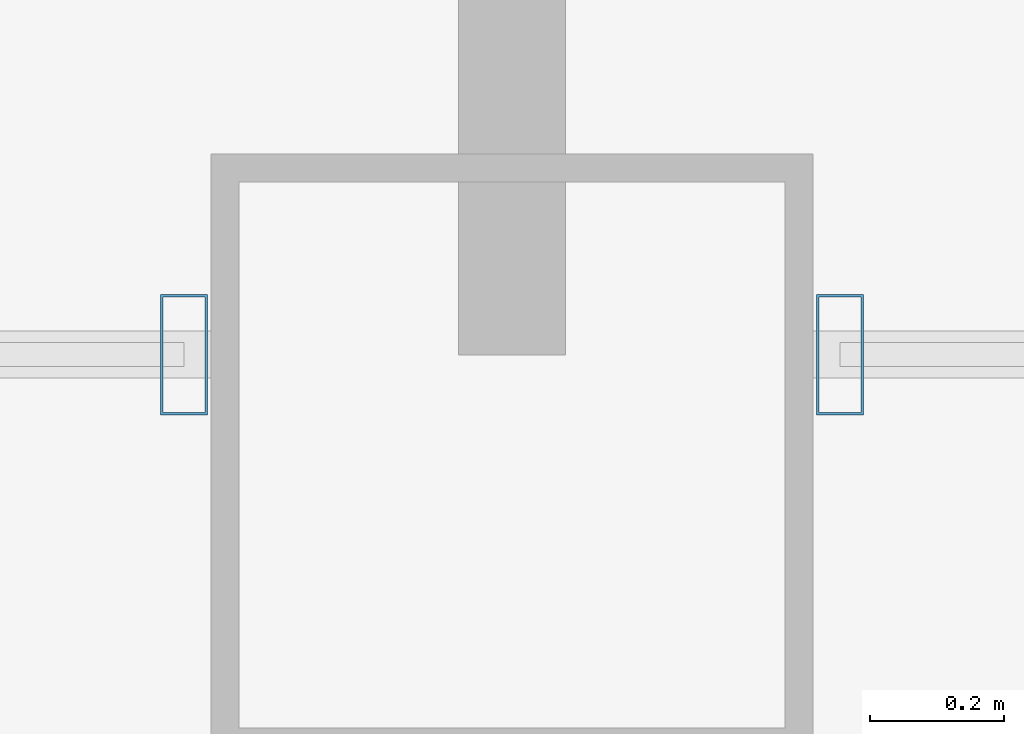
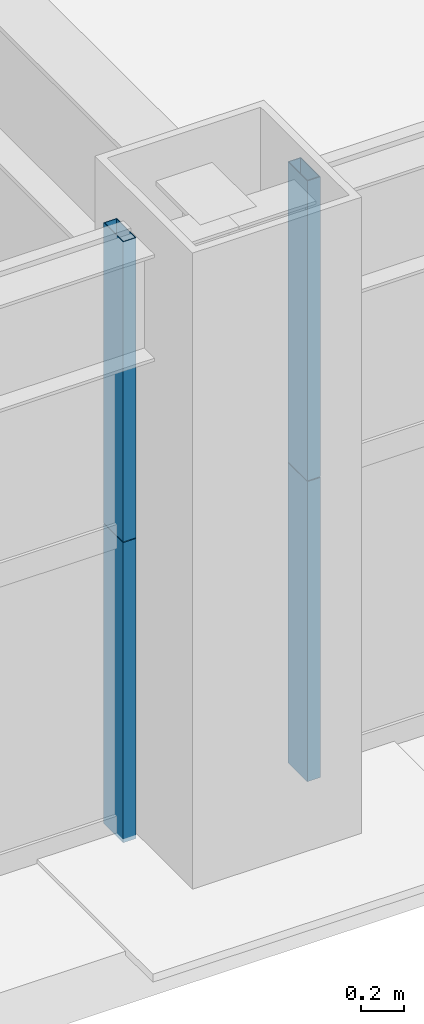
# One storey, part 9 of 45: 4 members, 2 elements without a shape of their own.
"""IFC4 building model written with IfcOpenShell, lengths in metres."""

import ifcopenshell
import ifcopenshell.guid

model = None  # the IFC model being written
_history = None  # IfcOwnerHistory: only IFC2X3 demands one
_inside = {}  # id of a spatial element -> (the spatial element, [elements in it])
_under = {}  # id of a project, library or spatial element -> (it, [spatial elements below it])
_declared = {}  # id of a project -> (the project, [libraries it declares])
_typed = {}  # id of a type object -> (the type object, [elements of that type])
_made_of = {}  # id of a material, layer set ... -> (it, [elements and type objects made of it])


def new_model(schema):
    """Start an empty IFC model of exactly this schema.

    Asked for "IFC4X3", IfcOpenShell would pick the latest addendum, in which some entities
    have other attributes; the version numbers below select the first issue.
    IFC2X3 requires an IfcOwnerHistory on every rooted entity: one is made here for all.
    """
    global model, _history
    if schema == "IFC4X3":
        model = ifcopenshell.file(schema_version=(4, 3, 0, 0))
    else:
        model = ifcopenshell.file(schema=schema)
    _inside.clear()
    _under.clear()
    _declared.clear()
    _typed.clear()
    _made_of.clear()
    _history = None
    if model.schema == "IFC2X3":
        org = make("IfcOrganization", Name="unknown")
        user = make(
            "IfcPersonAndOrganization",
            ThePerson=make("IfcPerson", FamilyName="unknown"),
            TheOrganization=org,
        )
        app = make(
            "IfcApplication",
            ApplicationDeveloper=org,
            Version="unknown",
            ApplicationFullName="unknown",
            ApplicationIdentifier="unknown",
        )
        _history = make(
            "IfcOwnerHistory",
            OwningUser=user,
            OwningApplication=app,
            ChangeAction="ADDED",
            CreationDate=0,
        )
    return model


def make(cls, **values):
    """One entity of the class cls with the attributes given. An attribute that is None is left unset."""
    return model.create_entity(
        cls, **{name: value for name, value in values.items() if value is not None}
    )


def rooted(cls, **values):
    """An entity with a GlobalId (a new one), such as an element, a storey or a relation."""
    return make(cls, GlobalId=ifcopenshell.guid.new(), OwnerHistory=_history, **values)


def si_unit(unit_type, name, prefix=None):
    """IfcSIUnit, for example si_unit("LENGTHUNIT", "METRE", prefix="MILLI")."""
    return make("IfcSIUnit", UnitType=unit_type, Prefix=prefix, Name=name)


def assignment(units):
    """IfcUnitAssignment: the units of a project."""
    return None if units is None else make("IfcUnitAssignment", Units=units)


def point(xyz):
    """IfcCartesianPoint."""
    return None if xyz is None else make("IfcCartesianPoint", Coordinates=xyz)


def direction(xyz):
    """IfcDirection."""
    return None if xyz is None else make("IfcDirection", DirectionRatios=xyz)


def frame(location, z_axis=None, x_axis=None):
    """IfcAxis2Placement3D, a coordinate frame: its origin and axes. An axis left out is left unset."""
    return make(
        "IfcAxis2Placement3D",
        Location=point(location),
        Axis=direction(z_axis),
        RefDirection=direction(x_axis),
    )


def frame_2d(location, x_axis=None):
    """IfcAxis2Placement2D, a coordinate frame in the plane: its origin and x axis."""
    return make(
        "IfcAxis2Placement2D", Location=point(location), RefDirection=direction(x_axis)
    )


def origin():
    """The frame at (0, 0, 0) with its axes left unset."""
    return frame((0.0, 0.0, 0.0))


def origin_2d():
    """The frame at (0, 0) in the plane with its x axis left unset."""
    return frame_2d((0.0, 0.0))


def place(relative_to, where):
    """IfcLocalPlacement: puts the frame where relative to a parent placement (None: the world)."""
    return make(
        "IfcLocalPlacement", PlacementRelTo=relative_to, RelativePlacement=where
    )


def context(
    kind, dimensions, precision=None, world=None, true_north=None, identifier=None
):
    """IfcGeometricRepresentationContext, for example the 3D "Model" context."""
    return make(
        "IfcGeometricRepresentationContext",
        ContextIdentifier=identifier,
        ContextType=kind,
        CoordinateSpaceDimension=dimensions,
        Precision=precision,
        WorldCoordinateSystem=world,
        TrueNorth=true_north,
    )


def subcontext(parent, identifier, kind, view, scale=None):
    """IfcGeometricRepresentationSubContext, for example "Body" below "Model"."""
    return make(
        "IfcGeometricRepresentationSubContext",
        ContextIdentifier=identifier,
        ContextType=kind,
        ParentContext=parent,
        TargetScale=scale,
        TargetView=view,
    )


def project(units=None, contexts=None):
    """IfcProject with its units and contexts."""
    return rooted(
        "IfcProject",
        Name="project",
        RepresentationContexts=contexts,
        UnitsInContext=assignment(units),
    )


def spatial(cls, under=None, at=None, **own):
    """A site, building, storey or space (cls), placed at a placement, below another one or the project."""
    s = rooted(cls, ObjectPlacement=at, **own)
    if under is not None:
        _under.setdefault(under.id(), (under, []))[1].append(s)
    return s


def profile(cls, at=None, kind="AREA", **sizes):
    """A parametric profile (cls). Its sizes go by their IFC names, for example OverallWidth=200.0."""
    return make(cls, ProfileType=kind, Position=at, **sizes)


def hollow_rectangle(**sizes):
    """IfcRectangleHollowProfileDef."""
    return profile("IfcRectangleHollowProfileDef", **sizes)


def extrude(swept, where, along, depth):
    """IfcExtrudedAreaSolid: the profile swept, set in the frame where, extruded along a direction by depth."""
    return make(
        "IfcExtrudedAreaSolid",
        SweptArea=swept,
        Position=where,
        ExtrudedDirection=direction(along),
        Depth=depth,
    )


def shape(context_of_items, identifier, shape_type, items):
    """IfcShapeRepresentation: the items that make up one representation, for example the "Body"."""
    return make(
        "IfcShapeRepresentation",
        ContextOfItems=context_of_items,
        RepresentationIdentifier=identifier,
        RepresentationType=shape_type,
        Items=items,
    )


def source(mapping_origin, context_of_items, identifier, shape_type, items):
    """IfcRepresentationMap: a shape defined once, which mapped items show again and again."""
    return make(
        "IfcRepresentationMap",
        MappingOrigin=mapping_origin,
        MappedRepresentation=shape(context_of_items, identifier, shape_type, items),
    )


def transform(
    local_origin,
    x_axis=None,
    y_axis=None,
    z_axis=None,
    scale=None,
    scale2=None,
    scale3=None,
    uniform=True,
):
    """IfcCartesianTransformationOperator3D, or its non-uniform kind. x_axis, y_axis, z_axis: its Axis1, 2, 3."""
    if uniform:
        return make(
            "IfcCartesianTransformationOperator3D",
            Axis1=direction(x_axis),
            Axis2=direction(y_axis),
            LocalOrigin=point(local_origin),
            Scale=scale,
            Axis3=direction(z_axis),
        )
    return make(
        "IfcCartesianTransformationOperator3DnonUniform",
        Axis1=direction(x_axis),
        Axis2=direction(y_axis),
        LocalOrigin=point(local_origin),
        Scale=scale,
        Axis3=direction(z_axis),
        Scale2=scale2,
        Scale3=scale3,
    )


def mapped(mapping_source, mapping_target):
    """IfcMappedItem: shows the shape of a source again, moved by a transform."""
    return make(
        "IfcMappedItem", MappingSource=mapping_source, MappingTarget=mapping_target
    )


def material(Name=None, Category=None):
    """IfcMaterial."""
    return make("IfcMaterial", Name=Name, Category=Category)


def layer(
    of_material, thickness, ventilated=None, Name=None, Category=None, Priority=None
):
    """IfcMaterialLayer: one layer of a wall or slab, of a material (None: an air gap)."""
    return make(
        "IfcMaterialLayer",
        Material=of_material,
        LayerThickness=thickness,
        IsVentilated=ventilated,
        Name=Name,
        Category=Category,
        Priority=Priority,
    )


def layer_set(layers, Name=None):
    """IfcMaterialLayerSet."""
    return make("IfcMaterialLayerSet", MaterialLayers=layers, LayerSetName=Name)


def material_profile(
    of_material, cross_section, Name=None, Category=None, Priority=None
):
    """IfcMaterialProfile: a cross section and its material."""
    return make(
        "IfcMaterialProfile",
        Name=Name,
        Material=of_material,
        Profile=cross_section,
        Priority=Priority,
        Category=Category,
    )


def profile_set(profiles, Name=None, composite=None):
    """IfcMaterialProfileSet."""
    return make(
        "IfcMaterialProfileSet",
        Name=Name,
        MaterialProfiles=profiles,
        CompositeProfile=composite,
    )


def made_of(thing, what):
    """Note that an element or type object is made of a material, layer set ...; save() writes the relation."""
    if what is not None:
        _made_of.setdefault(what.id(), (what, []))[1].append(thing)
    return thing


def type_object(cls, material=None, **own):
    """A type object (cls), such as IfcWallType, which elements share."""
    return made_of(rooted(cls, **own), material)


def element(
    cls,
    number,
    at=None,
    inside=None,
    cuts=None,
    type_object=None,
    material=None,
    context=None,
    identifier="Body",
    shape_type=None,
    held_by="IfcProductDefinitionShape",
    body=None,
    shapes=None,
    **own,
):
    """One element of the class cls, such as IfcWall. Its Tag is "e" and its number.

    at: its placement. inside: the storey or other place that contains it. cuts: it is an
    opening in that element (IfcRelVoidsElement). A single representation is given by context,
    identifier, shape_type and body (its items); several are given by shapes. held_by: the class
    of the entity that holds the representations. save() writes the other relations.
    """
    e = rooted(cls, Tag="e%d" % number, ObjectPlacement=at, **own)
    if body is not None:
        shapes = [shape(context, identifier, shape_type, body)]
    if shapes is not None:
        e.Representation = make(held_by, Representations=shapes)
    if inside is not None:
        _inside.setdefault(inside.id(), (inside, []))[1].append(e)
    if cuts is not None:
        rooted(
            "IfcRelVoidsElement", RelatingBuildingElement=cuts, RelatedOpeningElement=e
        )
    if type_object is not None:
        _typed.setdefault(type_object.id(), (type_object, []))[1].append(e)
    return made_of(e, material)


def aggregate(whole, parts):
    """IfcRelAggregates: a whole, such as a stair, and the parts it consists of."""
    return rooted("IfcRelAggregates", RelatingObject=whole, RelatedObjects=parts)


def save(model, path):
    """Write the relations noted so far, then the file.

    IfcRelAggregates (storeys below a building ...), IfcRelContainedInSpatialStructure (elements
    in a storey), IfcRelDefinesByType, IfcRelAssociatesMaterial and IfcRelDeclares: one each for
    every whole, place, type object, material and project.
    """
    for whole, parts in _under.values():
        aggregate(whole, parts)
    for where, things in _inside.values():
        rooted(
            "IfcRelContainedInSpatialStructure",
            RelatedElements=things,
            RelatingStructure=where,
        )
    for kind, things in _typed.values():
        rooted("IfcRelDefinesByType", RelatedObjects=things, RelatingType=kind)
    for what, things in _made_of.values():
        rooted("IfcRelAssociatesMaterial", RelatedObjects=things, RelatingMaterial=what)
    for by, libraries in _declared.values():
        rooted("IfcRelDeclares", RelatingContext=by, RelatedDefinitions=libraries)
    model.write(path)


model = new_model("IFC4")

# Units and contexts
model_context = context("Model", 3, precision=1e-05, world=origin(), true_north=direction((0.0, 1.0)))
body_context = subcontext(model_context, "Body", "Model", "MODEL_VIEW")
ifc_project = project(units=[si_unit("LENGTHUNIT", "METRE"), si_unit("AREAUNIT", "SQUARE_METRE"), si_unit("VOLUMEUNIT", "CUBIC_METRE"), si_unit("PLANEANGLEUNIT", "RADIAN"), si_unit("MASSUNIT", "GRAM", prefix="KILO"), si_unit("THERMODYNAMICTEMPERATUREUNIT", "KELVIN"), si_unit("POWERUNIT", "WATT")], contexts=[model_context])

# Site, building, storey
site_placement = place(None, origin())
site = spatial("IfcSite", under=ifc_project, at=site_placement, CompositionType="ELEMENT")
building_placement = place(site_placement, origin())
building = spatial("IfcBuilding", under=site, at=building_placement, Name="Yuzanri Waterfront Tower", CompositionType="ELEMENT")
storey_placement = place(building_placement, frame((0.0, 0.0, 30.60009765625)))
storey = spatial("IfcBuildingStorey", under=building, at=storey_placement, Name="L07", CompositionType="ELEMENT", Elevation=30.60009765625)

# Curtain wall, members
ifc_material_1 = material(Name="Anodized Architectural Bronze", Category="metal")
ifc_layer = layer(ifc_material_1, 0.159912109375)
ifc_layer_set = layer_set([ifc_layer], Name="Anodized Architectural Bronze")
curtain_wall_type = type_object("IfcCurtainWallType", Name="Anodized Bronze Hotel Lower-Tier Recessed Unitized Curtain Wall 8100", PredefinedType="NOTDEFINED", material=ifc_layer_set)
curtain_wall_1_placement = place(storey_placement, origin())
curtain_wall_1 = element("IfcCurtainWall", 1, at=curtain_wall_1_placement, inside=storey, type_object=curtain_wall_type, Name="L07 Curtain Wall CW-L07-SL", PredefinedType="NOTDEFINED")
ifc_material_2 = material(Name="Anodized Architectural Bronze", Category="metal")
ifc_material_profile = material_profile(ifc_material_2, hollow_rectangle(XDim=0.070068359375, YDim=0.179931640625, WallThickness=0.00390625, at=origin_2d()), Name="CWM 70x180")
ifc_profile_set = profile_set([ifc_material_profile], Name="Anodized Architectural Bronze")
member_type = type_object("IfcMemberType", Name="Anodized Bronze Standard Curtain-Wall Mullion 70x180", PredefinedType="MULLION", material=ifc_profile_set)
shared_shape = source(origin(), body_context, "Body", "SweptSolid", [
    extrude(hollow_rectangle(XDim=0.070068359375, YDim=0.179931640625, WallThickness=0.00390625, at=origin_2d()), origin(), (0.0, 0.0, 1.0), 1.68798828125),
])
member_1_placement = place(storey_placement, frame((36.510009765625, 0.85009765625, 0.0), z_axis=(0.0, 0.0, 1.0), x_axis=(1.0, 0.0, 0.0)))
member_1 = element("IfcMember", 2, at=member_1_placement, type_object=member_type, Name="CW-L07-SL Lower Mullion 02", PredefinedType="MULLION", context=body_context, shape_type="MappedRepresentation", body=[
    mapped(shared_shape, transform((0.0, 0.0, 0.0), scale=1.0)),
])
member_2_placement = place(storey_placement, frame((36.510009765625, 0.85009765625, 1.69189453125), z_axis=(0.0, 0.0, 1.0), x_axis=(1.0, 0.0, 0.0)))
member_2 = element("IfcMember", 3, at=member_2_placement, type_object=member_type, Name="CW-L07-SL Upper Mullion 02", PredefinedType="MULLION", context=body_context, shape_type="MappedRepresentation", body=[
    mapped(shared_shape, transform((0.0, 0.0, 0.0), scale=1.0)),
])
aggregate(curtain_wall_1, [member_1, member_2])

curtain_wall_2_placement = place(storey_placement, origin())
curtain_wall_2 = element("IfcCurtainWall", 4, at=curtain_wall_2_placement, inside=storey, type_object=curtain_wall_type, Name="L07 Curtain Wall CW-L07-SR", PredefinedType="NOTDEFINED")
member_3_placement = place(storey_placement, frame((37.489990234375, 0.85009765625, 0.0), z_axis=(0.0, 0.0, 1.0), x_axis=(1.0, 0.0, 0.0)))
member_3 = element("IfcMember", 5, at=member_3_placement, type_object=member_type, Name="CW-L07-SR Lower Mullion 00", PredefinedType="MULLION", context=body_context, shape_type="MappedRepresentation", body=[
    mapped(shared_shape, transform((0.0, 0.0, 0.0), scale=1.0)),
])
member_4_placement = place(storey_placement, frame((37.489990234375, 0.85009765625, 1.69189453125), z_axis=(0.0, 0.0, 1.0), x_axis=(1.0, 0.0, 0.0)))
member_4 = element("IfcMember", 6, at=member_4_placement, type_object=member_type, Name="CW-L07-SR Upper Mullion 00", PredefinedType="MULLION", context=body_context, shape_type="MappedRepresentation", body=[
    mapped(shared_shape, transform((0.0, 0.0, 0.0), scale=1.0)),
])
aggregate(curtain_wall_2, [member_3, member_4])

save(model, "model.ifc")
